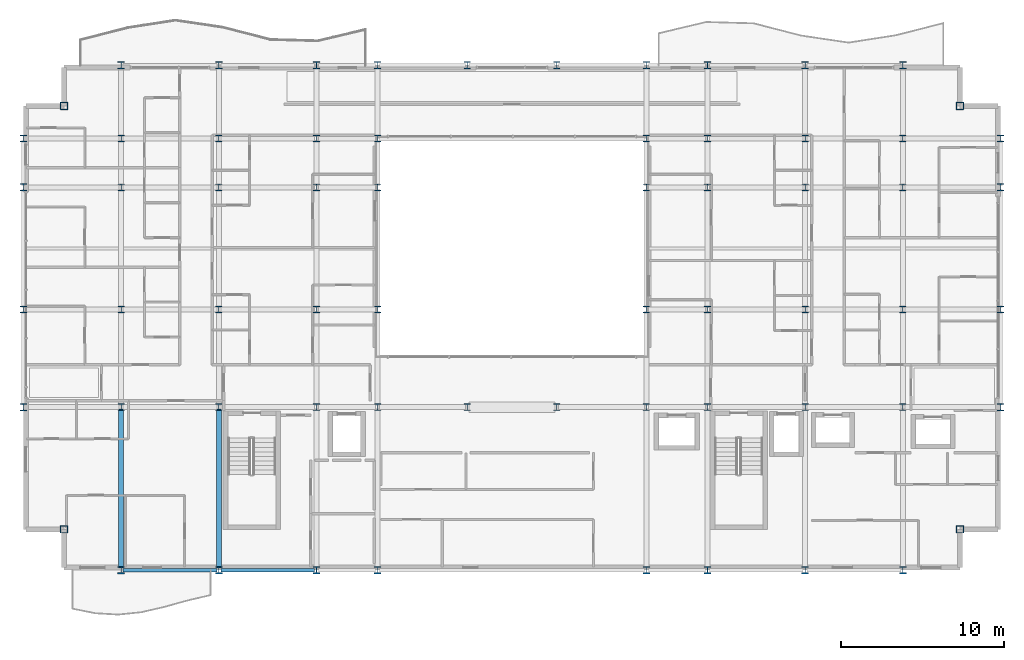
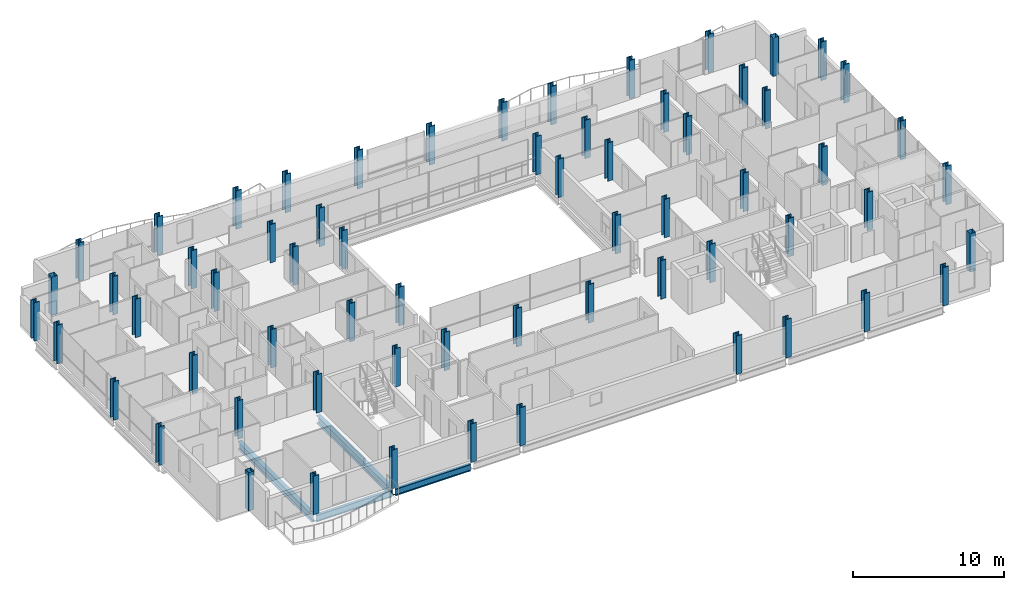
# One storey, part 1 of 41: 64 columns, 4 beams.
"""IFC4 building model written with IfcOpenShell, lengths in metres."""

from ifc_helpers import new_model, si_unit, direction, frame, origin, origin_2d, place, context, subcontext, project, spatial, hollow_rectangle, i_section, extrude, material, material_profile, profile_set, type_object, element, save


model = new_model("IFC4")

# Units and contexts
model_context = context("Model", 3, precision=1e-05, world=origin(), true_north=direction((0.0, 1.0)))
body_context = subcontext(model_context, "Body", "Model", "MODEL_VIEW")
ifc_project = project(units=[si_unit("LENGTHUNIT", "METRE"), si_unit("AREAUNIT", "SQUARE_METRE"), si_unit("VOLUMEUNIT", "CUBIC_METRE"), si_unit("PLANEANGLEUNIT", "RADIAN"), si_unit("MASSUNIT", "GRAM", prefix="KILO")], contexts=[model_context])

# Site, building, storey
site_placement = place(None, origin())
site = spatial("IfcSite", under=ifc_project, at=site_placement, CompositionType="ELEMENT")
building_placement = place(site_placement, origin())
building = spatial("IfcBuilding", under=site, at=building_placement, Name="Brevholm Reach", CompositionType="ELEMENT")
storey_placement = place(building_placement, frame((0.0, 0.0, 93.10009765625)))
storey = spatial("IfcBuildingStorey", under=building, at=storey_placement, Name="L27", CompositionType="ELEMENT", Elevation=93.10009765625)

# Columns
ifc_material_1 = material(Name="Structural Steel S460NH", Category="steel")
ifc_material_profile_1 = material_profile(ifc_material_1, hollow_rectangle(XDim=0.449951171875, YDim=0.449951171875, WallThickness=0.02490234375, InnerFilletRadius=0.011962890625, OuterFilletRadius=0.02392578125, at=origin_2d()), Name="SHS 450x450x25")
ifc_profile_set_1 = profile_set([ifc_material_profile_1], Name="Structural Steel S460NH")
column_type_1 = type_object("IfcColumnType", Name="COL-SHS1", PredefinedType="COLUMN", material=ifc_profile_set_1)
for number, where, z_axis, x_axis, name in (
    (1, (2.5, 2.5, 0.0), (0.0, 0.0, 1.0), (1.0, 0.0, 0.0), "L27 Column 05"),
    (2, (2.5, 28.5, 0.0), (0.0, 0.0, 1.0), (1.0, 0.0, 0.0), "L27 Column 06"),
    (3, (57.5, 2.5, 0.0), (0.0, 0.0, 1.0), (1.0, 0.0, 0.0), "L27 Column 59"),
    (4, (57.5, 28.5, 0.0), (0.0, 0.0, 1.0), (1.0, 0.0, 0.0), "L27 Column 60"),
):
    element("IfcColumn", number, at=place(storey_placement, frame(where, z_axis=z_axis, x_axis=x_axis)), inside=storey, type_object=column_type_1, Name=name, PredefinedType="COLUMN", context=body_context, shape_type="SweptSolid", body=[
        extrude(hollow_rectangle(XDim=0.449951171875, YDim=0.449951171875, WallThickness=0.02490234375, InnerFilletRadius=0.011962890625, OuterFilletRadius=0.02392578125, at=origin_2d()), origin(), (0.0, 0.0, 1.0), 3.099853515625),
    ])
ifc_material_2 = material(Name="Structural Steel S460ML", Category="steel")
ifc_material_profile_2 = material_profile(ifc_material_2, i_section(OverallWidth=0.41845703125, OverallDepth=0.45556640625, WebThickness=0.0419921875, FlangeThickness=0.0673828125, FilletRadius=0.01513671875, at=origin_2d()), Name="UKC 356x406x551")
ifc_profile_set_2 = profile_set([ifc_material_profile_2], Name="Structural Steel S460ML")
column_type_2 = type_object("IfcColumnType", Name="COL-UC2", PredefinedType="COLUMN", material=ifc_profile_set_2)
for number, where, z_axis, x_axis, name in (
    (5, (0.0, 10.0, 0.0), (0.0, 0.0, 1.0), (1.0, 0.0, 0.0), "L27 Column 01"),
    (6, (0.0, 16.0, 0.0), (0.0, 0.0, 1.0), (1.0, 0.0, 0.0), "L27 Column 02"),
    (7, (0.0, 23.5, 0.0), (0.0, 0.0, 1.0), (1.0, 0.0, 0.0), "L27 Column 03"),
    (8, (0.0, 26.5, 0.0), (0.0, 0.0, 1.0), (1.0, 0.0, 0.0), "L27 Column 04"),
    (9, (6.0, 0.0, 0.0), (0.0, 0.0, 1.0), (1.0, 0.0, 0.0), "L27 Column 07"),
    (10, (6.0, 31.0, 0.0), (0.0, 0.0, 1.0), (1.0, 0.0, 0.0), "L27 Column 12"),
    (11, (12.0, 0.0, 0.0), (0.0, 0.0, 1.0), (1.0, 0.0, 0.0), "L27 Column 13"),
    (12, (12.0, 31.0, 0.0), (0.0, 0.0, 1.0), (1.0, 0.0, 0.0), "L27 Column 18"),
    (13, (18.0, 0.0, 0.0), (0.0, 0.0, 1.0), (1.0, 0.0, 0.0), "L27 Column 19"),
    (14, (18.0, 31.0, 0.0), (0.0, 0.0, 1.0), (1.0, 0.0, 0.0), "L27 Column 24"),
    (15, (21.75, 0.0, 0.0), (0.0, 0.0, 1.0), (1.0, 0.0, 0.0), "L27 Column 25"),
    (16, (21.75, 31.0, 0.0), (0.0, 0.0, 1.0), (1.0, 0.0, 0.0), "L27 Column 30"),
    (17, (27.25, 31.0, 0.0), (0.0, 0.0, 1.0), (1.0, 0.0, 0.0), "L27 Column 32"),
    (18, (32.75, 31.0, 0.0), (0.0, 0.0, 1.0), (1.0, 0.0, 0.0), "L27 Column 34"),
    (19, (38.25, 0.0, 0.0), (0.0, 0.0, 1.0), (1.0, 0.0, 0.0), "L27 Column 35"),
    (20, (38.25, 31.0, 0.0), (0.0, 0.0, 1.0), (1.0, 0.0, 0.0), "L27 Column 40"),
    (21, (42.0, 0.0, 0.0), (0.0, 0.0, 1.0), (1.0, 0.0, 0.0), "L27 Column 41"),
    (22, (42.0, 31.0, 0.0), (0.0, 0.0, 1.0), (1.0, 0.0, 0.0), "L27 Column 46"),
    (23, (48.0, 0.0, 0.0), (0.0, 0.0, 1.0), (1.0, 0.0, 0.0), "L27 Column 47"),
    (24, (48.0, 31.0, 0.0), (0.0, 0.0, 1.0), (1.0, 0.0, 0.0), "L27 Column 52"),
    (25, (54.0, 0.0, 0.0), (0.0, 0.0, 1.0), (1.0, 0.0, 0.0), "L27 Column 53"),
    (26, (54.0, 31.0, 0.0), (0.0, 0.0, 1.0), (1.0, 0.0, 0.0), "L27 Column 58"),
    (27, (60.0, 10.0, 0.0), (0.0, 0.0, 1.0), (1.0, 0.0, 0.0), "L27 Column 61"),
    (28, (60.0, 16.0, 0.0), (0.0, 0.0, 1.0), (1.0, 0.0, 0.0), "L27 Column 62"),
    (29, (60.0, 23.5, 0.0), (0.0, 0.0, 1.0), (1.0, 0.0, 0.0), "L27 Column 63"),
    (30, (60.0, 26.5, 0.0), (0.0, 0.0, 1.0), (1.0, 0.0, 0.0), "L27 Column 64"),
):
    element("IfcColumn", number, at=place(storey_placement, frame(where, z_axis=z_axis, x_axis=x_axis)), inside=storey, type_object=column_type_2, Name=name, PredefinedType="COLUMN", context=body_context, shape_type="SweptSolid", body=[
        extrude(i_section(OverallWidth=0.41845703125, OverallDepth=0.45556640625, WebThickness=0.0419921875, FlangeThickness=0.0673828125, FilletRadius=0.01513671875, at=origin_2d()), origin(), (0.0, 0.0, 1.0), 3.099853515625),
    ])
ifc_material_3 = material(Name="Structural Steel S460ML", Category="steel")
ifc_material_profile_3 = material_profile(ifc_material_3, i_section(OverallWidth=0.412109375, OverallDepth=0.4365234375, WebThickness=0.035888671875, FlangeThickness=0.05810546875, FilletRadius=0.01513671875, at=origin_2d()), Name="UKC 356x406x467")
ifc_profile_set_3 = profile_set([ifc_material_profile_3], Name="Structural Steel S460ML")
column_type_3 = type_object("IfcColumnType", Name="COL-UC3", PredefinedType="COLUMN", material=ifc_profile_set_3)
for number, where, z_axis, x_axis, name in (
    (31, (6.0, 10.0, 0.0), (0.0, 0.0, 1.0), (1.0, 0.0, 0.0), "L27 Column 08"),
    (32, (6.0, 16.0, 0.0), (0.0, 0.0, 1.0), (1.0, 0.0, 0.0), "L27 Column 09"),
    (33, (6.0, 23.5, 0.0), (0.0, 0.0, 1.0), (1.0, 0.0, 0.0), "L27 Column 10"),
    (34, (6.0, 26.5, 0.0), (0.0, 0.0, 1.0), (1.0, 0.0, 0.0), "L27 Column 11"),
    (35, (12.0, 10.0, 0.0), (0.0, 0.0, 1.0), (1.0, 0.0, 0.0), "L27 Column 14"),
    (36, (12.0, 16.0, 0.0), (0.0, 0.0, 1.0), (1.0, 0.0, 0.0), "L27 Column 15"),
    (37, (12.0, 23.5, 0.0), (0.0, 0.0, 1.0), (1.0, 0.0, 0.0), "L27 Column 16"),
    (38, (12.0, 26.5, 0.0), (0.0, 0.0, 1.0), (1.0, 0.0, 0.0), "L27 Column 17"),
    (39, (18.0, 10.0, 0.0), (0.0, 0.0, 1.0), (1.0, 0.0, 0.0), "L27 Column 20"),
    (40, (18.0, 16.0, 0.0), (0.0, 0.0, 1.0), (1.0, 0.0, 0.0), "L27 Column 21"),
    (41, (18.0, 23.5, 0.0), (0.0, 0.0, 1.0), (1.0, 0.0, 0.0), "L27 Column 22"),
    (42, (18.0, 26.5, 0.0), (0.0, 0.0, 1.0), (1.0, 0.0, 0.0), "L27 Column 23"),
    (43, (21.75, 10.0, 0.0), (0.0, 0.0, 1.0), (1.0, 0.0, 0.0), "L27 Column 26"),
    (44, (21.75, 16.0, 0.0), (0.0, 0.0, 1.0), (1.0, 0.0, 0.0), "L27 Column 27"),
    (45, (21.75, 23.5, 0.0), (0.0, 0.0, 1.0), (1.0, 0.0, 0.0), "L27 Column 28"),
    (46, (21.75, 26.5, 0.0), (0.0, 0.0, 1.0), (1.0, 0.0, 0.0), "L27 Column 29"),
    (47, (27.25, 10.0, 0.0), (0.0, 0.0, 1.0), (1.0, 0.0, 0.0), "L27 Column 31"),
    (48, (32.75, 10.0, 0.0), (0.0, 0.0, 1.0), (1.0, 0.0, 0.0), "L27 Column 33"),
    (49, (38.25, 10.0, 0.0), (0.0, 0.0, 1.0), (1.0, 0.0, 0.0), "L27 Column 36"),
    (50, (38.25, 16.0, 0.0), (0.0, 0.0, 1.0), (1.0, 0.0, 0.0), "L27 Column 37"),
    (51, (38.25, 23.5, 0.0), (0.0, 0.0, 1.0), (1.0, 0.0, 0.0), "L27 Column 38"),
    (52, (38.25, 26.5, 0.0), (0.0, 0.0, 1.0), (1.0, 0.0, 0.0), "L27 Column 39"),
    (53, (42.0, 10.0, 0.0), (0.0, 0.0, 1.0), (1.0, 0.0, 0.0), "L27 Column 42"),
    (54, (42.0, 16.0, 0.0), (0.0, 0.0, 1.0), (1.0, 0.0, 0.0), "L27 Column 43"),
    (55, (42.0, 23.5, 0.0), (0.0, 0.0, 1.0), (1.0, 0.0, 0.0), "L27 Column 44"),
    (56, (42.0, 26.5, 0.0), (0.0, 0.0, 1.0), (1.0, 0.0, 0.0), "L27 Column 45"),
    (57, (48.0, 10.0, 0.0), (0.0, 0.0, 1.0), (1.0, 0.0, 0.0), "L27 Column 48"),
    (58, (48.0, 16.0, 0.0), (0.0, 0.0, 1.0), (1.0, 0.0, 0.0), "L27 Column 49"),
    (59, (48.0, 23.5, 0.0), (0.0, 0.0, 1.0), (1.0, 0.0, 0.0), "L27 Column 50"),
    (60, (48.0, 26.5, 0.0), (0.0, 0.0, 1.0), (1.0, 0.0, 0.0), "L27 Column 51"),
    (61, (54.0, 10.0, 0.0), (0.0, 0.0, 1.0), (1.0, 0.0, 0.0), "L27 Column 54"),
    (62, (54.0, 16.0, 0.0), (0.0, 0.0, 1.0), (1.0, 0.0, 0.0), "L27 Column 55"),
    (63, (54.0, 23.5, 0.0), (0.0, 0.0, 1.0), (1.0, 0.0, 0.0), "L27 Column 56"),
    (64, (54.0, 26.5, 0.0), (0.0, 0.0, 1.0), (1.0, 0.0, 0.0), "L27 Column 57"),
):
    element("IfcColumn", number, at=place(storey_placement, frame(where, z_axis=z_axis, x_axis=x_axis)), inside=storey, type_object=column_type_3, Name=name, PredefinedType="COLUMN", context=body_context, shape_type="SweptSolid", body=[
        extrude(i_section(OverallWidth=0.412109375, OverallDepth=0.4365234375, WebThickness=0.035888671875, FlangeThickness=0.05810546875, FilletRadius=0.01513671875, at=origin_2d()), origin(), (0.0, 0.0, 1.0), 3.099853515625),
    ])

# Beams
ifc_material_4 = material(Name="Structural Steel S355J2", Category="steel")
ifc_material_profile_4 = material_profile(ifc_material_4, i_section(OverallWidth=0.210693359375, OverallDepth=0.53955078125, WebThickness=0.01171875, FlangeThickness=0.018798828125, FilletRadius=0.0126953125, at=origin_2d()), Name="UKB 533x210x109")
ifc_profile_set_4 = profile_set([ifc_material_profile_4], Name="Structural Steel S355J2")
beam_type_1 = type_object("IfcBeamType", Name="BM-SP539", PredefinedType="SPANDREL", material=ifc_profile_set_4)
for number, where, z_axis, x_axis, name in (
    (65, (6.1201171875, 0.0, -0.499755859375), (1.0, 0.0, 0.0), (0.0, 1.0, 0.0), "L27 SP-01B Framing Beam"),
    (66, (12.1201171875, 0.0, -0.499755859375), (1.0, 0.0, 0.0), (0.0, 1.0, 0.0), "L27 SP-01B Framing Beam"),
):
    element("IfcBeam", number, at=place(storey_placement, frame(where, z_axis=z_axis, x_axis=x_axis)), inside=storey, type_object=beam_type_1, Name=name, PredefinedType="SPANDREL", context=body_context, shape_type="SweptSolid", body=[
        extrude(i_section(OverallWidth=0.210693359375, OverallDepth=0.53955078125, WebThickness=0.01171875, FlangeThickness=0.018798828125, FilletRadius=0.0126953125, at=origin_2d()), origin(), (0.0, 0.0, 1.0), 5.759765625),
    ])
ifc_material_5 = material(Name="Structural Steel S355J2", Category="steel")
ifc_material_profile_5 = material_profile(ifc_material_5, i_section(OverallWidth=0.30712890625, OverallDepth=0.6201171875, WebThickness=0.01416015625, FlangeThickness=0.023681640625, FilletRadius=0.0166015625, at=origin_2d()), Name="UKB 610x305x179")
ifc_profile_set_5 = profile_set([ifc_material_profile_5], Name="Structural Steel S355J2")
beam_type_2 = type_object("IfcBeamType", Name="BM-UKB610H", PredefinedType="USERDEFINED", material=ifc_profile_set_5)
for number, where, z_axis, x_axis, name in (
    (67, (6.0, 0.1201171875, -0.540283203125), (0.0, 1.0, 0.0), (-1.0, 0.0, 0.0), "L27 G-06 Framing Beam"),
    (68, (12.0, 0.1201171875, -0.540283203125), (0.0, 1.0, 0.0), (-1.0, 0.0, 0.0), "L27 G-06 Framing Beam"),
):
    element("IfcBeam", number, at=place(storey_placement, frame(where, z_axis=z_axis, x_axis=x_axis)), inside=storey, type_object=beam_type_2, Name=name, ObjectType="GIRDER", PredefinedType="USERDEFINED", context=body_context, shape_type="SweptSolid", body=[
        extrude(i_section(OverallWidth=0.30712890625, OverallDepth=0.6201171875, WebThickness=0.01416015625, FlangeThickness=0.023681640625, FilletRadius=0.0166015625, at=origin_2d()), origin(), (0.0, 0.0, 1.0), 9.759765625),
    ])

save(model, "model.ifc")
